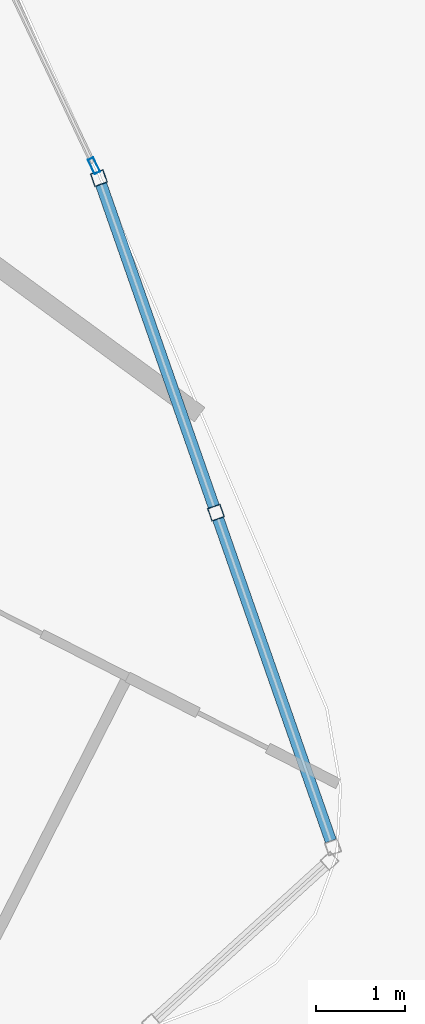
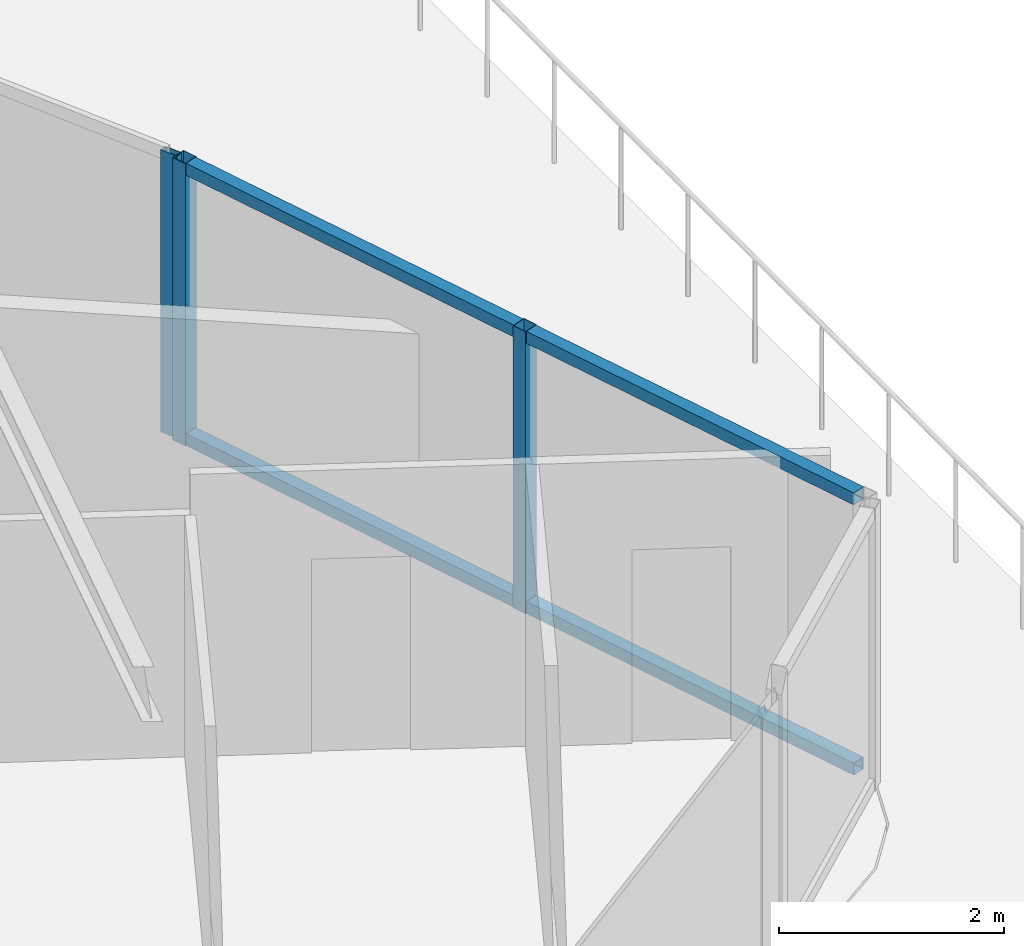
# One storey, part 16 of 36: 7 members, 2 elements without a shape of their own.
"""IFC4 building model written with IfcOpenShell, lengths in metres."""

from ifc_helpers import new_model, si_unit, direction, frame, origin, origin_2d, place, context, subcontext, project, spatial, hollow_rectangle, extrude, material, layer, layer_set, material_profile, profile_set, type_object, element, aggregate, save


model = new_model("IFC4")

# Units and contexts
model_context = context("Model", 3, precision=1e-05, world=origin(), true_north=direction((0.0, 1.0)))
body_context = subcontext(model_context, "Body", "Model", "MODEL_VIEW")
ifc_project = project(units=[si_unit("LENGTHUNIT", "METRE"), si_unit("AREAUNIT", "SQUARE_METRE"), si_unit("VOLUMEUNIT", "CUBIC_METRE"), si_unit("PLANEANGLEUNIT", "RADIAN"), si_unit("MASSUNIT", "GRAM", prefix="KILO")], contexts=[model_context])

# Site, building, storey
site_placement = place(None, origin())
site = spatial("IfcSite", under=ifc_project, at=site_placement, CompositionType="ELEMENT")
building_placement = place(site_placement, origin())
building = spatial("IfcBuilding", under=site, at=building_placement, Name="Orvanel Arch Residences", CompositionType="ELEMENT")
storey_placement = place(building_placement, frame((0.0, 0.0, 23.60009765625)))
storey = spatial("IfcBuildingStorey", under=building, at=storey_placement, Name="L05", CompositionType="ELEMENT", Elevation=23.60009765625)

# Curtain wall, members
ifc_material = material(Name="Bronze-anodised aluminium AA6063-T6", Category="aluminium")
ifc_layer_1 = layer(ifc_material, 0.18994140625)
ifc_layer_set_1 = layer_set([ifc_layer_1], Name="Bronze-anodised aluminium AA6063-T6")
curtain_wall_type_1 = type_object("IfcCurtainWallType", Name="CW5-CRN-SYS", PredefinedType="NOTDEFINED", material=ifc_layer_set_1)
curtain_wall_1_placement = place(storey_placement, origin())
curtain_wall_1 = element("IfcCurtainWall", 1, at=curtain_wall_1_placement, inside=storey, type_object=curtain_wall_type_1, Name="L05 CW5-CRN-SYS Unitised Curtain Wall", PredefinedType="NOTDEFINED")
ifc_material_profile_1 = material_profile(ifc_material, hollow_rectangle(XDim=0.14990234375, YDim=0.14990234375, WallThickness=0.0048828125, at=origin_2d()), Name="ALU150x150x5")
ifc_profile_set_1 = profile_set([ifc_material_profile_1], Name="Bronze-anodised aluminium AA6063-T6")
member_type_1 = type_object("IfcMemberType", Name="MUL-150x150", PredefinedType="MULLION", material=ifc_profile_set_1)
member_1_placement = place(storey_placement, frame((60.779541015625, 9.181884765625, 0.0), z_axis=(0.0, 0.0, 1.0), x_axis=(-0.943915900726, -0.330185966322, 0.0)))
member_1 = element("IfcMember", 2, at=member_1_placement, type_object=member_type_1, Name="CW-S5 mullion 2", PredefinedType="MULLION", context=body_context, shape_type="SweptSolid", body=[
    extrude(hollow_rectangle(XDim=0.14990234375, YDim=0.14990234375, WallThickness=0.0048828125, at=origin_2d()), origin(), (0.0, 0.0, 1.0), 3.059814453125),
])
member_2_placement = place(storey_placement, frame((59.462646484375, 12.9462890625, 0.0), z_axis=(0.0, 0.0, 1.0), x_axis=(-0.943915900726, -0.330185966322, 0.0)))
member_2 = element("IfcMember", 3, at=member_2_placement, type_object=member_type_1, Name="CW-S5 mullion 3", PredefinedType="MULLION", context=body_context, shape_type="SweptSolid", body=[
    extrude(hollow_rectangle(XDim=0.14990234375, YDim=0.14990234375, WallThickness=0.0048828125, at=origin_2d()), origin(), (0.0, 0.0, 1.0), 3.059814453125),
])

# Curtain wall, member
ifc_layer_2 = layer(ifc_material, 0.179931640625)
ifc_layer_set_2 = layer_set([ifc_layer_2], Name="Bronze-anodised aluminium AA6063-T6")
curtain_wall_type_2 = type_object("IfcCurtainWallType", Name="CW2-LOW-SYS", PredefinedType="NOTDEFINED", material=ifc_layer_set_2)
curtain_wall_2_placement = place(storey_placement, origin())
curtain_wall_2 = element("IfcCurtainWall", 4, at=curtain_wall_2_placement, inside=storey, type_object=curtain_wall_type_2, Name="L05 CW2-LOW-SYS Unitised Curtain Wall", PredefinedType="NOTDEFINED")
ifc_material_profile_2 = material_profile(ifc_material, hollow_rectangle(XDim=0.070068359375, YDim=0.179931640625, WallThickness=0.00439453125, at=origin_2d()), Name="ALU180x70x4.5")
ifc_profile_set_2 = profile_set([ifc_material_profile_2], Name="Bronze-anodised aluminium AA6063-T6")
member_type_2 = type_object("IfcMemberType", Name="MUL-180x70", PredefinedType="MULLION", material=ifc_profile_set_2)
member_3_placement = place(storey_placement, frame((59.406982421875, 13.085693359375, 0.0), z_axis=(0.0, 0.0, 1.0), x_axis=(-0.903402710016, -0.428793124403, 0.0)))
member_3 = element("IfcMember", 5, at=member_3_placement, type_object=member_type_2, Name="CW-S2 mullion 1", PredefinedType="MULLION", context=body_context, shape_type="SweptSolid", body=[
    extrude(hollow_rectangle(XDim=0.070068359375, YDim=0.179931640625, WallThickness=0.00439453125, at=origin_2d()), origin(), (0.0, 0.0, 1.0), 3.059814453125),
])
aggregate(curtain_wall_2, [member_3])

# Member
ifc_material_profile_3 = material_profile(ifc_material, hollow_rectangle(XDim=0.1298828125, YDim=0.1298828125, WallThickness=0.00439453125, at=origin_2d()), Name="ALU130x130x4.5")
ifc_profile_set_3 = profile_set([ifc_material_profile_3], Name="Bronze-anodised aluminium AA6063-T6")
member_type_3 = type_object("IfcMemberType", Name="TRN-130x130", PredefinedType="USERDEFINED", material=ifc_profile_set_3)
member_4_placement = place(storey_placement, frame((62.071533203125, 5.488525390625, 0.06494140625), z_axis=(-0.330200249609, 0.943910904248, 0.0), x_axis=(-0.943910904248, -0.330200249609, 0.0)))
member_4 = element("IfcMember", 6, at=member_4_placement, type_object=member_type_3, Name="CW-S5 transom 1.1", ObjectType="TRANSOM", PredefinedType="USERDEFINED", context=body_context, shape_type="SweptSolid", body=[
    extrude(hollow_rectangle(XDim=0.1298828125, YDim=0.1298828125, WallThickness=0.00439453125, at=origin_2d()), origin(), (0.0, 0.0, 1.0), 3.838134765625),
])

member_5_placement = place(storey_placement, frame((62.071533203125, 5.488525390625, 2.994873046875), z_axis=(-0.330200249609, 0.943910904248, 0.0), x_axis=(-0.943910904248, -0.330200249609, 0.0)))
member_5 = element("IfcMember", 7, at=member_5_placement, type_object=member_type_3, Name="CW-S5 transom 1.2", ObjectType="TRANSOM", PredefinedType="USERDEFINED", context=body_context, shape_type="SweptSolid", body=[
    extrude(hollow_rectangle(XDim=0.1298828125, YDim=0.1298828125, WallThickness=0.00439453125, at=origin_2d()), origin(), (0.0, 0.0, 1.0), 3.838134765625),
])

member_6_placement = place(storey_placement, frame((60.754638671875, 9.252685546875, 0.06494140625), z_axis=(-0.330143573235, 0.943930728948, 0.0), x_axis=(-0.943930728948, -0.330143573235, 0.0)))
member_6 = element("IfcMember", 8, at=member_6_placement, type_object=member_type_3, Name="CW-S5 transom 2.1", ObjectType="TRANSOM", PredefinedType="USERDEFINED", context=body_context, shape_type="SweptSolid", body=[
    extrude(hollow_rectangle(XDim=0.1298828125, YDim=0.1298828125, WallThickness=0.00439453125, at=origin_2d()), origin(), (0.0, 0.0, 1.0), 3.837890625),
])

member_7_placement = place(storey_placement, frame((60.754638671875, 9.252685546875, 2.994873046875), z_axis=(-0.330143573235, 0.943930728948, 0.0), x_axis=(-0.943930728948, -0.330143573235, 0.0)))
member_7 = element("IfcMember", 9, at=member_7_placement, type_object=member_type_3, Name="CW-S5 transom 2.2", ObjectType="TRANSOM", PredefinedType="USERDEFINED", context=body_context, shape_type="SweptSolid", body=[
    extrude(hollow_rectangle(XDim=0.1298828125, YDim=0.1298828125, WallThickness=0.00439453125, at=origin_2d()), origin(), (0.0, 0.0, 1.0), 3.837890625),
])

aggregate(curtain_wall_1, [member_1, member_2, member_4, member_5, member_6, member_7])

save(model, "model.ifc")
